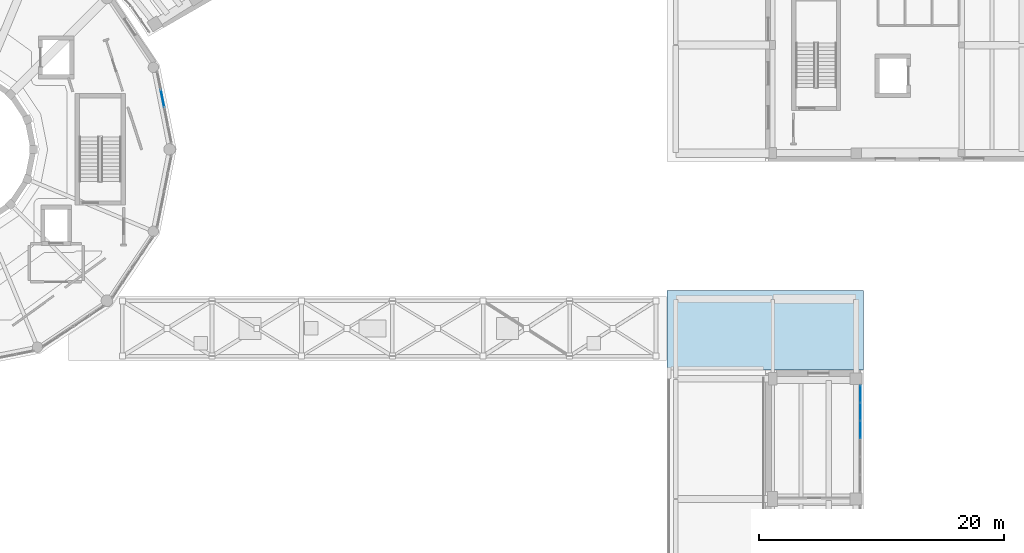
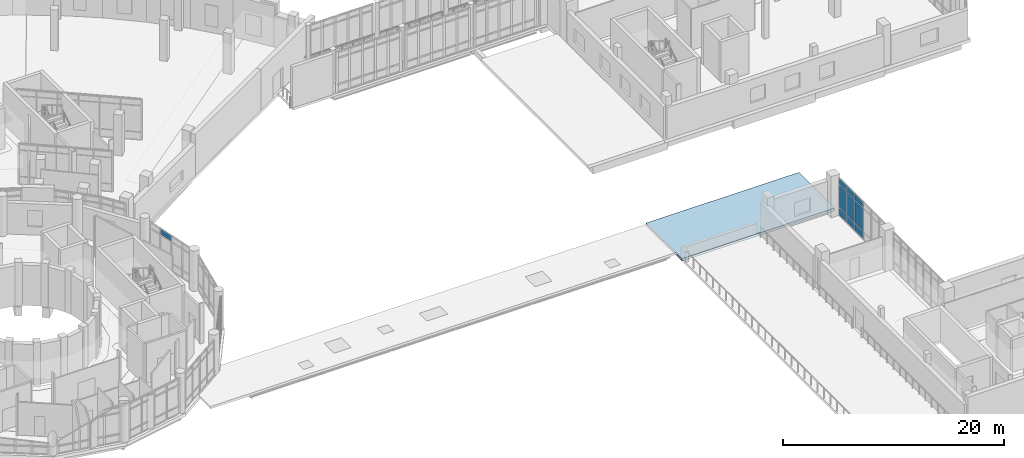
# One storey, part 39 of 75: 10 plates, 1 slab, 2 elements without a shape of their own.
"""IFC4 building model written with IfcOpenShell, lengths in metres."""

from ifc_helpers import new_model, si_unit, direction, frame, origin, origin_2d, place, context, subcontext, project, spatial, polyline, rectangle, outline, extrude, material, layer, layer_set, type_object, element, aggregate, save


model = new_model("IFC4")

# Units and contexts
model_context = context("Model", 3, precision=1e-05, world=origin(), true_north=direction((0.0, 1.0)))
body_context = subcontext(model_context, "Body", "Model", "MODEL_VIEW")
ifc_project = project(units=[si_unit("LENGTHUNIT", "METRE"), si_unit("AREAUNIT", "SQUARE_METRE"), si_unit("VOLUMEUNIT", "CUBIC_METRE"), si_unit("PLANEANGLEUNIT", "RADIAN"), si_unit("MASSUNIT", "GRAM", prefix="KILO")], contexts=[model_context])

# Site, building, storey
site_placement = place(None, origin())
site = spatial("IfcSite", under=ifc_project, at=site_placement, CompositionType="ELEMENT")
building_placement = place(site_placement, origin())
building = spatial("IfcBuilding", under=site, at=building_placement, Name="Soyqirgoq Riverine Aquarium", CompositionType="ELEMENT")
storey_placement = place(building_placement, frame((0.0, 0.0, 10.199951171875)))
storey = spatial("IfcBuildingStorey", under=building, at=storey_placement, Name="L03", CompositionType="ELEMENT", Elevation=10.199951171875)

# Curtain wall, plate
ifc_material_1 = material(Name="Anodised aluminium thermally broken triple low-E glazing", Category="aluminium")
curtain_wall_type_1 = type_object("IfcCurtainWallType", Name="CW_DrumGallery_Unitised", PredefinedType="NOTDEFINED", material=ifc_material_1)
curtain_wall_1_placement = place(storey_placement, origin())
curtain_wall_1 = element("IfcCurtainWall", 1, at=curtain_wall_1_placement, inside=storey, type_object=curtain_wall_type_1, Name="V1 L03 Curtain Wall 003", PredefinedType="NOTDEFINED")
ifc_material_2 = material(Name="Triple insulated laminated low-E glass", Category="glass")
ifc_layer_1 = layer(ifc_material_2, 0.0458984375)
ifc_layer_set_1 = layer_set([ifc_layer_1], Name="Triple insulated laminated low-E glass")
plate_type = type_object("IfcPlateType", Name="CWGlazedPanel_46", PredefinedType="CURTAIN_PANEL", material=ifc_layer_set_1)
plate_1_placement = place(storey_placement, frame((72.8740234375, 61.15185546875, 3.28759765625), z_axis=(0.0, 0.0, 1.0), x_axis=(-0.195094927919, 0.980784364221, 0.0)))
plate_1 = element("IfcPlate", 2, at=plate_1_placement, type_object=plate_type, Name="CW-01 panel 3.3", PredefinedType="CURTAIN_PANEL", context=body_context, shape_type="SweptSolid", body=[
    extrude(rectangle(XDim=1.43701171875, YDim=0.0458984375, at=origin_2d()), origin(), (0.0, 0.0, 1.0), 0.58740234375),
])
aggregate(curtain_wall_1, [plate_1])

# Curtain wall, plates
ifc_material_3 = material(Name="Anodised aluminium thermally broken gallery curtain wall", Category="aluminium")
curtain_wall_type_2 = type_object("IfcCurtainWallType", Name="CW_Pavilion_Ribbon", PredefinedType="NOTDEFINED", material=ifc_material_3)
curtain_wall_2_placement = place(storey_placement, origin())
curtain_wall_2 = element("IfcCurtainWall", 3, at=curtain_wall_2_placement, inside=storey, type_object=curtain_wall_type_2, Name="V6 L03 Curtain Wall 118", PredefinedType="NOTDEFINED")
plate_2_placement = place(storey_placement, frame((129.75, 37.056640625, 0.074951171875), z_axis=(0.0, 0.0, 1.0), x_axis=(0.0, -1.0, 0.0)))
plate_2 = element("IfcPlate", 4, at=plate_2_placement, type_object=plate_type, Name="CW-05 panel 1.1", PredefinedType="CURTAIN_PANEL", context=body_context, shape_type="SweptSolid", body=[
    extrude(rectangle(XDim=1.36669921875, YDim=0.0458984375, at=origin_2d()), origin(), (0.0, 0.0, 1.0), 0.78759765625),
])
plate_3_placement = place(storey_placement, frame((129.75, 37.056640625, 0.9375), z_axis=(0.0, 0.0, 1.0), x_axis=(0.0, -1.0, 0.0)))
plate_3 = element("IfcPlate", 5, at=plate_3_placement, type_object=plate_type, Name="CW-05 panel 1.2", PredefinedType="CURTAIN_PANEL", context=body_context, shape_type="SweptSolid", body=[
    extrude(rectangle(XDim=1.36669921875, YDim=0.0458984375, at=origin_2d()), origin(), (0.0, 0.0, 1.0), 2.514892578125),
])
plate_4_placement = place(storey_placement, frame((129.75, 37.056640625, 3.527587890625), z_axis=(0.0, 0.0, 1.0), x_axis=(0.0, -1.0, 0.0)))
plate_4 = element("IfcPlate", 6, at=plate_4_placement, type_object=plate_type, Name="CW-05 panel 1.3", PredefinedType="CURTAIN_PANEL", context=body_context, shape_type="SweptSolid", body=[
    extrude(rectangle(XDim=1.36669921875, YDim=0.0458984375, at=origin_2d()), origin(), (0.0, 0.0, 1.0), 0.58740234375),
])
plate_5_placement = place(storey_placement, frame((129.75, 35.608642578125, 0.074951171875), z_axis=(0.0, 0.0, 1.0), x_axis=(0.0, -1.0, 0.0)))
plate_5 = element("IfcPlate", 7, at=plate_5_placement, type_object=plate_type, Name="CW-05 panel 2.1", PredefinedType="CURTAIN_PANEL", context=body_context, shape_type="SweptSolid", body=[
    extrude(rectangle(XDim=1.399169921875, YDim=0.0458984375, at=origin_2d()), origin(), (0.0, 0.0, 1.0), 0.78759765625),
])
plate_6_placement = place(storey_placement, frame((129.75, 35.608642578125, 0.9375), z_axis=(0.0, 0.0, 1.0), x_axis=(0.0, -1.0, 0.0)))
plate_6 = element("IfcPlate", 8, at=plate_6_placement, type_object=plate_type, Name="CW-05 panel 2.2", PredefinedType="CURTAIN_PANEL", context=body_context, shape_type="SweptSolid", body=[
    extrude(rectangle(XDim=1.399169921875, YDim=0.0458984375, at=origin_2d()), origin(), (0.0, 0.0, 1.0), 2.514892578125),
])
plate_7_placement = place(storey_placement, frame((129.75, 35.608642578125, 3.527587890625), z_axis=(0.0, 0.0, 1.0), x_axis=(0.0, -1.0, 0.0)))
plate_7 = element("IfcPlate", 9, at=plate_7_placement, type_object=plate_type, Name="CW-05 panel 2.3", PredefinedType="CURTAIN_PANEL", context=body_context, shape_type="SweptSolid", body=[
    extrude(rectangle(XDim=1.399169921875, YDim=0.0458984375, at=origin_2d()), origin(), (0.0, 0.0, 1.0), 0.58740234375),
])
plate_8_placement = place(storey_placement, frame((129.75, 34.14453125, 0.074951171875), z_axis=(0.0, 0.0, 1.0), x_axis=(0.0, -1.0, 0.0)))
plate_8 = element("IfcPlate", 10, at=plate_8_placement, type_object=plate_type, Name="CW-05 panel 3.1", PredefinedType="CURTAIN_PANEL", context=body_context, shape_type="SweptSolid", body=[
    extrude(rectangle(XDim=1.399169921875, YDim=0.0458984375, at=origin_2d()), origin(), (0.0, 0.0, 1.0), 0.78759765625),
])
plate_9_placement = place(storey_placement, frame((129.75, 34.14453125, 0.9375), z_axis=(0.0, 0.0, 1.0), x_axis=(0.0, -1.0, 0.0)))
plate_9 = element("IfcPlate", 11, at=plate_9_placement, type_object=plate_type, Name="CW-05 panel 3.2", PredefinedType="CURTAIN_PANEL", context=body_context, shape_type="SweptSolid", body=[
    extrude(rectangle(XDim=1.399169921875, YDim=0.0458984375, at=origin_2d()), origin(), (0.0, 0.0, 1.0), 2.514892578125),
])
plate_10_placement = place(storey_placement, frame((129.75, 34.14453125, 3.527587890625), z_axis=(0.0, 0.0, 1.0), x_axis=(0.0, -1.0, 0.0)))
plate_10 = element("IfcPlate", 12, at=plate_10_placement, type_object=plate_type, Name="CW-05 panel 3.3", PredefinedType="CURTAIN_PANEL", context=body_context, shape_type="SweptSolid", body=[
    extrude(rectangle(XDim=1.399169921875, YDim=0.0458984375, at=origin_2d()), origin(), (0.0, 0.0, 1.0), 0.58740234375),
])
aggregate(curtain_wall_2, [plate_2, plate_3, plate_4, plate_5, plate_6, plate_7, plate_8, plate_9, plate_10])

# Slab
ifc_material_4 = material(Name="Concrete C35/45", Category="concrete")
ifc_layer_2 = layer(ifc_material_4, 0.280029296875)
ifc_layer_set_2 = layer_set([ifc_layer_2], Name="Concrete C35/45")
slab_type = type_object("IfcSlabType", Name="StepRoof_280_C35", PredefinedType="ROOF", material=ifc_layer_set_2)
slab_placement = place(storey_placement, frame((0.0, 0.0, -0.280029296875)))
element("IfcSlab", 13, at=slab_placement, inside=storey, type_object=slab_type, Name="V6 L03 North Step Roof", PredefinedType="ROOF", context=body_context, shape_type="SweptSolid", body=[
    extrude(outline(polyline([(114.0, 39.0), (130.0, 39.0), (130.0, 45.5), (114.0, 45.5), (114.0, 39.0)])), origin(), (0.0, 0.0, 1.0), 0.280029296875),
])

save(model, "model.ifc")
